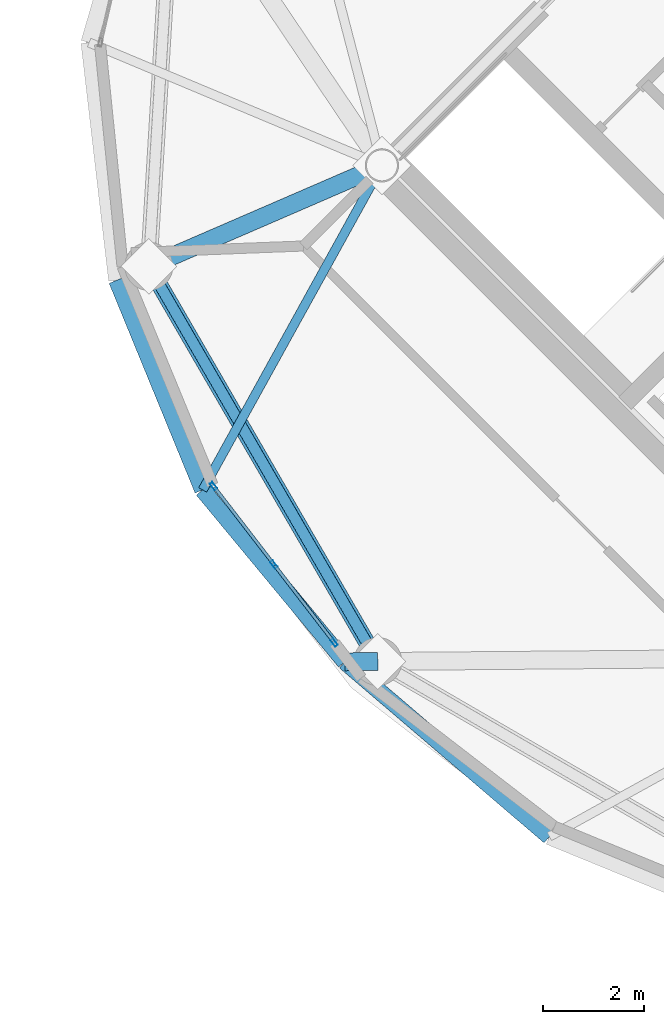
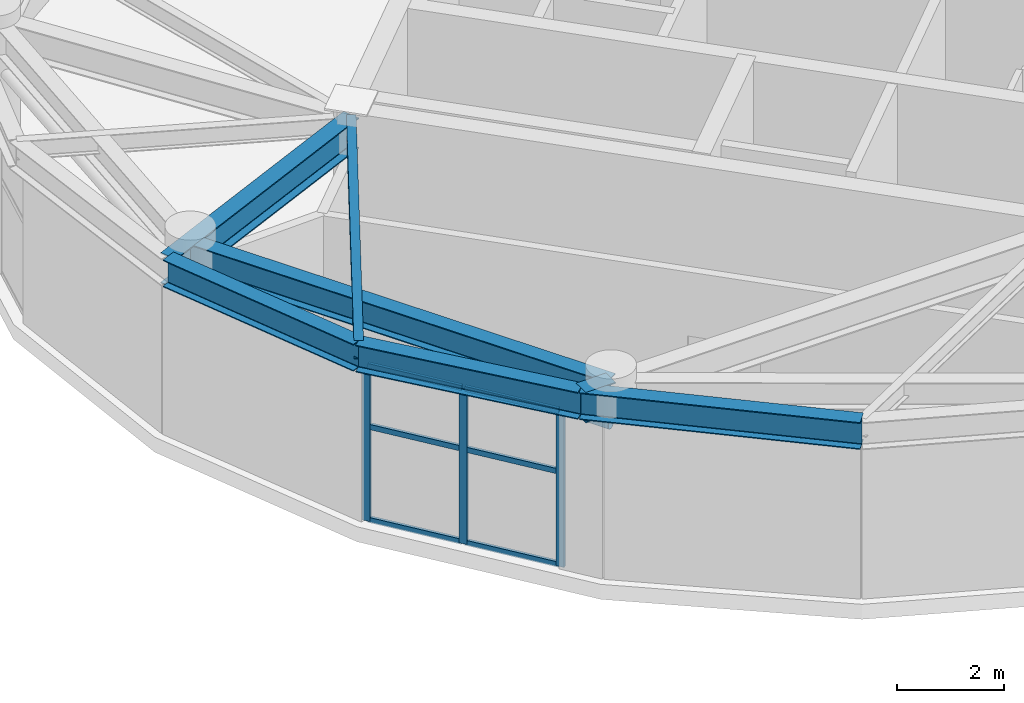
# One storey, part 12 of 26: 10 members, 7 beams, 1 element without a shape of its own.
"""IFC4 building model written with IfcOpenShell, lengths in metres."""

from ifc_helpers import new_model, si_unit, direction, frame, origin, origin_2d, place, context, subcontext, project, spatial, hollow_rectangle, hollow_circle, i_section, extrude, material, layer, layer_set, material_profile, profile_set, type_object, element, aggregate, save


model = new_model("IFC4")

# Units and contexts
model_context = context("Model", 3, precision=1e-05, world=origin(), true_north=direction((0.0, 1.0)))
body_context = subcontext(model_context, "Body", "Model", "MODEL_VIEW")
ifc_project = project(units=[si_unit("LENGTHUNIT", "METRE"), si_unit("AREAUNIT", "SQUARE_METRE"), si_unit("VOLUMEUNIT", "CUBIC_METRE"), si_unit("PLANEANGLEUNIT", "RADIAN"), si_unit("MASSUNIT", "GRAM", prefix="KILO")], contexts=[model_context])

# Site, building, storey
site_placement = place(None, origin())
site = spatial("IfcSite", under=ifc_project, at=site_placement, CompositionType="ELEMENT")
building_placement = place(site_placement, origin())
building = spatial("IfcBuilding", under=site, at=building_placement, Name="Cununo Teusaquillo Station Towers", CompositionType="ELEMENT")
storey_placement = place(building_placement, frame((0.0, 0.0, 240.330078125)))
storey = spatial("IfcBuildingStorey", under=building, at=storey_placement, Name="L76", CompositionType="ELEMENT", Elevation=240.330078125)

# Beams
ifc_material_1 = material(Name="Steel ASTM A572 Grade 50", Category="steel")
ifc_material_profile_1 = material_profile(ifc_material_1, i_section(OverallWidth=0.180908203125, OverallDepth=0.4169921875, WebThickness=0.010986328125, FlangeThickness=0.018310546875, FilletRadius=0.012939453125, at=origin_2d()), Name="W16X57")
ifc_profile_set_1 = profile_set([ifc_material_profile_1], Name="Steel ASTM A572 Grade 50")
beam_type_1 = type_object("IfcBeamType", Name="BM-JOIST-1", PredefinedType="JOIST", material=ifc_profile_set_1)
beam_1_placement = place(storey_placement, frame((48.975830078125, 25.70556640625, 3.991455078125), z_axis=(-0.483552544108, -0.8753153358, 0.0), x_axis=(0.8753153358, -0.483552544108, 0.0)))
element("IfcBeam", 1, at=beam_1_placement, inside=storey, type_object=beam_type_1, Name="L76 Tower B Radial Spandrel Joist V09", PredefinedType="JOIST", context=body_context, shape_type="SweptSolid", body=[
    extrude(i_section(OverallWidth=0.180908203125, OverallDepth=0.4169921875, WebThickness=0.010986328125, FlangeThickness=0.018310546875, FilletRadius=0.012939453125, at=origin_2d()), origin(), (0.0, 0.0, 1.0), 7.3330078125),
])
ifc_material_2 = material(Name="Steel ASTM A572 Grade 50", Category="steel")
ifc_material_profile_2 = material_profile(ifc_material_2, i_section(OverallWidth=0.35498046875, OverallDepth=0.696044921875, WebThickness=0.015380859375, FlangeThickness=0.02490234375, FilletRadius=0.01806640625, at=origin_2d()), Name="W27X146")
ifc_profile_set_2 = profile_set([ifc_material_profile_2], Name="Steel ASTM A572 Grade 50")
beam_type_2 = type_object("IfcBeamType", Name="BM-PLNT-G1", PredefinedType="BEAM", material=ifc_profile_set_2)
beam_2_placement = place(storey_placement, frame((48.975830078125, 25.70556640625, 3.851806640625), z_axis=(-0.917665176837, -0.397354530893, 0.0), x_axis=(0.397354530893, -0.917665176837, 0.0)))
element("IfcBeam", 2, at=beam_2_placement, inside=storey, type_object=beam_type_2, Name="L76 Tower B Continuous Overhanging Radial Girder 05", PredefinedType="BEAM", context=body_context, shape_type="SweptSolid", body=[
    extrude(i_section(OverallWidth=0.35498046875, OverallDepth=0.696044921875, WebThickness=0.015380859375, FlangeThickness=0.02490234375, FilletRadius=0.01806640625, at=origin_2d()), origin(), (0.0, 0.0, 1.0), 5.716552734375),
])
beam_3_placement = place(storey_placement, frame((48.89306640625, 15.89306640625, 3.851806640625), z_axis=(-0.999962704276, -0.008636553586, 0.0), x_axis=(0.008636553586, -0.999962704276, 0.0)))
element("IfcBeam", 3, at=beam_3_placement, inside=storey, type_object=beam_type_2, Name="L76 Tower B Perimeter Overhang Girder 06B", PredefinedType="BEAM", context=body_context, shape_type="SweptSolid", body=[
    extrude(i_section(OverallWidth=0.35498046875, OverallDepth=0.696044921875, WebThickness=0.015380859375, FlangeThickness=0.02490234375, FilletRadius=0.01806640625, at=origin_2d()), origin(), (0.0, 0.0, 1.0), 0.650146484375),
])
ifc_material_3 = material(Name="Steel ASTM A572 Grade 50", Category="steel")
ifc_material_profile_3 = material_profile(ifc_material_3, i_section(OverallWidth=0.324951171875, OverallDepth=0.615966796875, WebThickness=0.013916015625, FlangeThickness=0.021484375, FilletRadius=0.01611328125, at=origin_2d()), Name="W24X117")
ifc_profile_set_3 = profile_set([ifc_material_profile_3], Name="Steel ASTM A572 Grade 50")
beam_type_3 = type_object("IfcBeamType", Name="BM-PLNT-G2", PredefinedType="BEAM", material=ifc_profile_set_3)
beam_4_placement = place(storey_placement, frame((44.36474609375, 23.708984375, 3.891845703125), z_axis=(0.501311121078, -0.865267103202, 0.0), x_axis=(0.865267103202, 0.501311121078, 0.0)))
element("IfcBeam", 4, at=beam_4_placement, inside=storey, type_object=beam_type_3, Name="L76 Tower B Structural Column Ring Girder 05", PredefinedType="BEAM", context=body_context, shape_type="SweptSolid", body=[
    extrude(i_section(OverallWidth=0.324951171875, OverallDepth=0.615966796875, WebThickness=0.013916015625, FlangeThickness=0.021484375, FilletRadius=0.01611328125, at=origin_2d()), origin(), (0.0, 0.0, 1.0), 9.032958984375),
])
beam_5_placement = place(storey_placement, frame((43.72998046875, 23.43408203125, 3.891845703125), z_axis=(0.379275405388, -0.925283830437, 0.0), x_axis=(0.925283830437, 0.379275405388, 0.0)))
element("IfcBeam", 5, at=beam_5_placement, inside=storey, type_object=beam_type_3, Name="L76 Tower B Spandrel Ring Beam 09", PredefinedType="BEAM", context=body_context, shape_type="SweptSolid", body=[
    extrude(i_section(OverallWidth=0.324951171875, OverallDepth=0.615966796875, WebThickness=0.013916015625, FlangeThickness=0.021484375, FilletRadius=0.01611328125, at=origin_2d()), origin(), (0.0, 0.0, 1.0), 4.482177734375),
])
beam_6_placement = place(storey_placement, frame((45.429931640625, 19.286865234375, 3.891845703125), z_axis=(0.637524682095, -0.770429931739, 0.0), x_axis=(0.770429931739, 0.637524682095, 0.0)))
element("IfcBeam", 6, at=beam_6_placement, inside=storey, type_object=beam_type_3, Name="L76 Tower B Spandrel Ring Beam 10", PredefinedType="BEAM", context=body_context, shape_type="SweptSolid", body=[
    extrude(i_section(OverallWidth=0.324951171875, OverallDepth=0.615966796875, WebThickness=0.013916015625, FlangeThickness=0.021484375, FilletRadius=0.01611328125, at=origin_2d()), origin(), (0.0, 0.0, 1.0), 4.412353515625),
])
beam_7_placement = place(storey_placement, frame((48.242919921875, 15.887451171875, 3.891845703125), z_axis=(0.760065778291, -0.649846145385, 0.0), x_axis=(0.649846145385, 0.760065778291, 0.0)))
element("IfcBeam", 7, at=beam_7_placement, inside=storey, type_object=beam_type_3, Name="L76 Tower B Spandrel Ring Beam 11", PredefinedType="BEAM", context=body_context, shape_type="SweptSolid", body=[
    extrude(i_section(OverallWidth=0.324951171875, OverallDepth=0.615966796875, WebThickness=0.013916015625, FlangeThickness=0.021484375, FilletRadius=0.01611328125, at=origin_2d()), origin(), (0.0, 0.0, 1.0), 5.320556640625),
])

# Curtain wall, members
ifc_material_4 = material(Name="Ceramic-fritted dark low-E double glazing", Category="glass")
ifc_layer = layer(ifc_material_4, 0.179931640625)
ifc_layer_set = layer_set([ifc_layer], Name="Ceramic-fritted dark low-E double glazing")
curtain_wall_type = type_object("IfcCurtainWallType", Name="CW-SYS-08", PredefinedType="USERDEFINED", material=ifc_layer_set)
curtain_wall_placement = place(storey_placement, origin())
curtain_wall = element("IfcCurtainWall", 8, at=curtain_wall_placement, inside=storey, type_object=curtain_wall_type, Name="L76 Tower B Crown Drum Glazed Screen C09", ObjectType="FRITTED GLAZING", PredefinedType="USERDEFINED")
ifc_material_5 = material(Name="Anodised dark bronze aluminium EN AW-6063-T6", Category="aluminium")
ifc_material_profile_4 = material_profile(ifc_material_5, hollow_rectangle(XDim=0.06494140625, YDim=0.159912109375, WallThickness=0.00390625, at=origin_2d()), Name="CW-MULL-65x160")
ifc_profile_set_4 = profile_set([ifc_material_profile_4], Name="Anodised dark bronze aluminium EN AW-6063-T6")
member_type_1 = type_object("IfcMemberType", Name="CWM-160", PredefinedType="MULLION", material=ifc_profile_set_4)
member_1_placement = place(storey_placement, frame((48.0302734375, 16.26806640625, 0.0), z_axis=(0.0, 0.0, 1.0), x_axis=(-0.791965285757, -0.610566119397, 0.0)))
member_1 = element("IfcMember", 9, at=member_1_placement, type_object=member_type_1, Name="CW-08 mullion 1", PredefinedType="MULLION", context=body_context, shape_type="SweptSolid", body=[
    extrude(hollow_rectangle(XDim=0.06494140625, YDim=0.159912109375, WallThickness=0.00390625, at=origin_2d()), origin(), (0.0, 0.0, 1.0), 3.555908203125),
])
member_2_placement = place(storey_placement, frame((46.838134765625, 17.814453125, 0.0), z_axis=(0.0, 0.0, 1.0), x_axis=(-0.791965285757, -0.610566119397, 0.0)))
member_2 = element("IfcMember", 10, at=member_2_placement, type_object=member_type_1, Name="CW-08 mullion 2", PredefinedType="MULLION", context=body_context, shape_type="SweptSolid", body=[
    extrude(hollow_rectangle(XDim=0.06494140625, YDim=0.159912109375, WallThickness=0.00390625, at=origin_2d()), origin(), (0.0, 0.0, 1.0), 3.555908203125),
])
member_3_placement = place(storey_placement, frame((45.64599609375, 19.36083984375, 0.0), z_axis=(0.0, 0.0, 1.0), x_axis=(-0.791965285757, -0.610566119397, 0.0)))
member_3 = element("IfcMember", 11, at=member_3_placement, type_object=member_type_1, Name="CW-08 mullion 3", PredefinedType="MULLION", context=body_context, shape_type="SweptSolid", body=[
    extrude(hollow_rectangle(XDim=0.06494140625, YDim=0.159912109375, WallThickness=0.00390625, at=origin_2d()), origin(), (0.0, 0.0, 1.0), 3.555908203125),
])
ifc_material_6 = material(Name="Anodised dark bronze aluminium EN AW-6063-T6", Category="aluminium")
ifc_material_profile_5 = material_profile(ifc_material_6, hollow_rectangle(XDim=0.06494140625, YDim=0.1201171875, WallThickness=0.00390625, at=origin_2d()), Name="CW-TRAN-65x120")
ifc_profile_set_5 = profile_set([ifc_material_profile_5], Name="Anodised dark bronze aluminium EN AW-6063-T6")
member_type_2 = type_object("IfcMemberType", Name="CWT-120", PredefinedType="USERDEFINED", material=ifc_profile_set_5)
member_4_placement = place(storey_placement, frame((48.010498046875, 16.2939453125, 0.032470703125), z_axis=(-0.610604198997, 0.791935926807, 0.0), x_axis=(-0.791935926807, -0.610604198997, 0.0)))
member_4 = element("IfcMember", 12, at=member_4_placement, type_object=member_type_2, Name="CW-08 transom 1.1", ObjectType="TRANSOM", PredefinedType="USERDEFINED", context=body_context, shape_type="SweptSolid", body=[
    extrude(hollow_rectangle(XDim=0.06494140625, YDim=0.1201171875, WallThickness=0.00390625, at=origin_2d()), origin(), (0.0, 0.0, 1.0), 1.8876953125),
])
member_5_placement = place(storey_placement, frame((48.010498046875, 16.2939453125, 2.14990234375), z_axis=(-0.610604198997, 0.791935926807, 0.0), x_axis=(-0.791935926807, -0.610604198997, 0.0)))
member_5 = element("IfcMember", 13, at=member_5_placement, type_object=member_type_2, Name="CW-08 transom 1.2", ObjectType="TRANSOM", PredefinedType="USERDEFINED", context=body_context, shape_type="SweptSolid", body=[
    extrude(hollow_rectangle(XDim=0.06494140625, YDim=0.1201171875, WallThickness=0.00390625, at=origin_2d()), origin(), (0.0, 0.0, 1.0), 1.8876953125),
])
member_6_placement = place(storey_placement, frame((48.010498046875, 16.2939453125, 3.5234375), z_axis=(-0.610604198997, 0.791935926807, 0.0), x_axis=(-0.791935926807, -0.610604198997, 0.0)))
member_6 = element("IfcMember", 14, at=member_6_placement, type_object=member_type_2, Name="CW-08 transom 1.3", ObjectType="TRANSOM", PredefinedType="USERDEFINED", context=body_context, shape_type="SweptSolid", body=[
    extrude(hollow_rectangle(XDim=0.06494140625, YDim=0.1201171875, WallThickness=0.00390625, at=origin_2d()), origin(), (0.0, 0.0, 1.0), 1.8876953125),
])
member_7_placement = place(storey_placement, frame((46.818359375, 17.84033203125, 0.032470703125), z_axis=(-0.610604198997, 0.791935926807, 0.0), x_axis=(-0.791935926807, -0.610604198997, 0.0)))
member_7 = element("IfcMember", 15, at=member_7_placement, type_object=member_type_2, Name="CW-08 transom 2.1", ObjectType="TRANSOM", PredefinedType="USERDEFINED", context=body_context, shape_type="SweptSolid", body=[
    extrude(hollow_rectangle(XDim=0.06494140625, YDim=0.1201171875, WallThickness=0.00390625, at=origin_2d()), origin(), (0.0, 0.0, 1.0), 1.8876953125),
])
member_8_placement = place(storey_placement, frame((46.818359375, 17.84033203125, 2.14990234375), z_axis=(-0.610604198997, 0.791935926807, 0.0), x_axis=(-0.791935926807, -0.610604198997, 0.0)))
member_8 = element("IfcMember", 16, at=member_8_placement, type_object=member_type_2, Name="CW-08 transom 2.2", ObjectType="TRANSOM", PredefinedType="USERDEFINED", context=body_context, shape_type="SweptSolid", body=[
    extrude(hollow_rectangle(XDim=0.06494140625, YDim=0.1201171875, WallThickness=0.00390625, at=origin_2d()), origin(), (0.0, 0.0, 1.0), 1.8876953125),
])
member_9_placement = place(storey_placement, frame((46.818359375, 17.84033203125, 3.5234375), z_axis=(-0.610604198997, 0.791935926807, 0.0), x_axis=(-0.791935926807, -0.610604198997, 0.0)))
member_9 = element("IfcMember", 17, at=member_9_placement, type_object=member_type_2, Name="CW-08 transom 2.3", ObjectType="TRANSOM", PredefinedType="USERDEFINED", context=body_context, shape_type="SweptSolid", body=[
    extrude(hollow_rectangle(XDim=0.06494140625, YDim=0.1201171875, WallThickness=0.00390625, at=origin_2d()), origin(), (0.0, 0.0, 1.0), 1.8876953125),
])
aggregate(curtain_wall, [member_1, member_2, member_3, member_4, member_5, member_6, member_7, member_8, member_9])

# Member
ifc_material_7 = material(Name="Steel EN 10025-2 S355J2", Category="steel")
ifc_material_profile_6 = material_profile(ifc_material_7, hollow_circle(Radius=0.109619140625, WallThickness=0.010009765625, at=origin_2d()), Name="CHS 219x10")
ifc_profile_set_6 = profile_set([ifc_material_profile_6], Name="Steel EN 10025-2 S355J2")
member_type_3 = type_object("IfcMemberType", Name="MBR-DRUM-COL", PredefinedType="COLLAR", material=ifc_profile_set_6)
member_10_placement = place(storey_placement, frame((44.36474609375, 23.708984375, 3.14990234375), z_axis=(0.501311121078, -0.865267103202, 0.0), x_axis=(0.865267103202, 0.501311121078, 0.0)))
element("IfcMember", 18, at=member_10_placement, inside=storey, type_object=member_type_3, Name="L76 Tower B Crown Drum Collar 05", PredefinedType="COLLAR", context=body_context, shape_type="SweptSolid", body=[
    extrude(hollow_circle(Radius=0.109619140625, WallThickness=0.010009765625, at=origin_2d()), origin(), (0.0, 0.0, 1.0), 9.032958984375),
])

save(model, "model.ifc")
